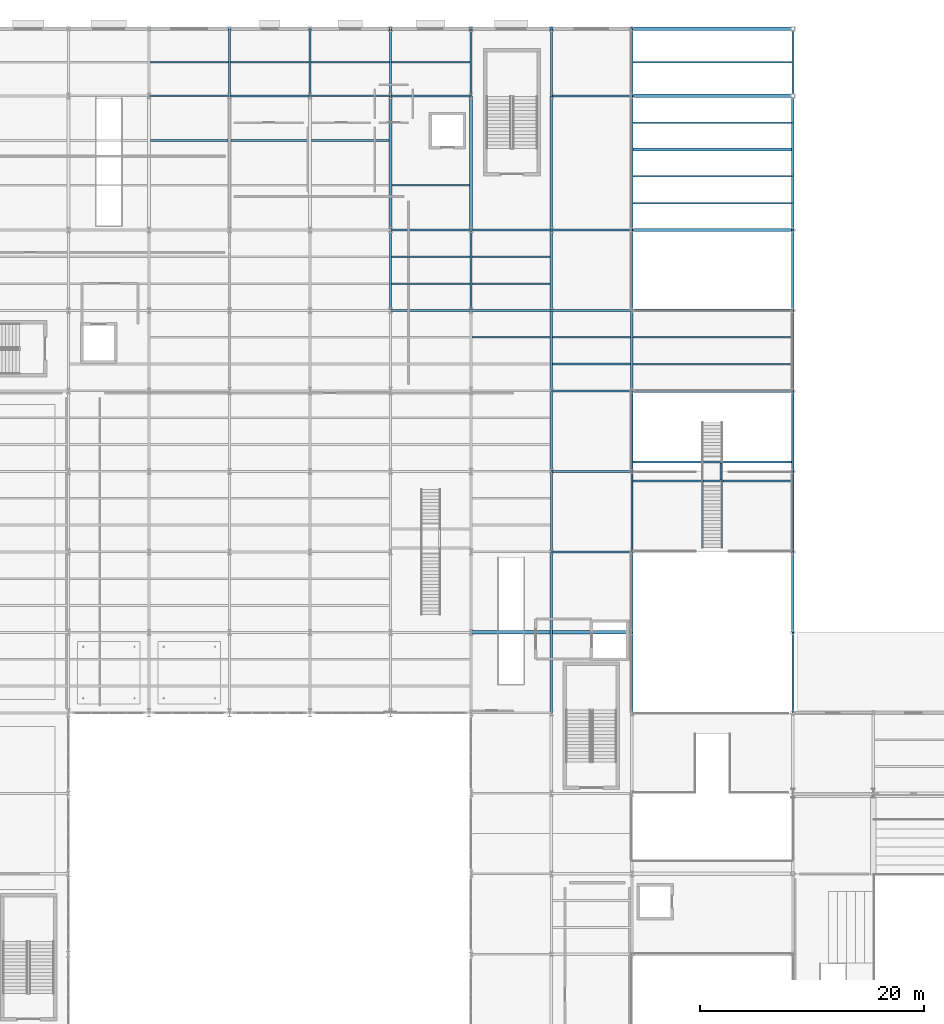
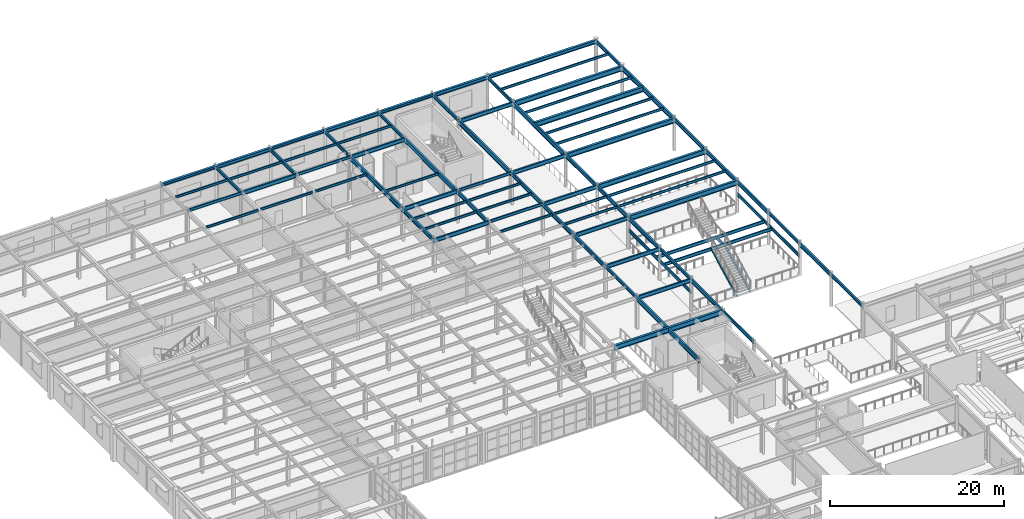
# One storey, part 53 of 121: 84 beams, 2 members.
"""IFC4 building model written with IfcOpenShell, lengths in metres."""

from ifc_helpers import new_model, si_unit, direction, frame, origin, origin_2d, place, context, subcontext, project, spatial, hollow_rectangle, i_section, extrude, material, material_profile, profile_set, type_object, element, save


model = new_model("IFC4")

# Units and contexts
model_context = context("Model", 3, precision=1e-05, world=origin(), true_north=direction((0.0, 1.0)))
body_context = subcontext(model_context, "Body", "Model", "MODEL_VIEW")
ifc_project = project(units=[si_unit("LENGTHUNIT", "METRE"), si_unit("AREAUNIT", "SQUARE_METRE"), si_unit("VOLUMEUNIT", "CUBIC_METRE"), si_unit("PLANEANGLEUNIT", "RADIAN"), si_unit("MASSUNIT", "GRAM", prefix="KILO")], contexts=[model_context])

# Site, building, storey
site_placement = place(None, origin())
site = spatial("IfcSite", under=ifc_project, at=site_placement, CompositionType="ELEMENT")
building_placement = place(site_placement, origin())
building = spatial("IfcBuilding", under=site, at=building_placement, Name="Solvadek Multi-Sports Hall", CompositionType="ELEMENT")
storey_placement = place(building_placement, frame((0.0, 0.0, 4.800048828125)))
storey = spatial("IfcBuildingStorey", under=building, at=storey_placement, Name="L01", CompositionType="ELEMENT", Elevation=4.800048828125)

# Members
ifc_material_1 = material(Name="Steel E250 (250 MPa)", Category="steel")
ifc_material_profile_1 = material_profile(ifc_material_1, hollow_rectangle(XDim=0.14990234375, YDim=0.300048828125, WallThickness=0.010009765625, at=origin_2d()), Name="RHS 300x150x10")
ifc_profile_set_1 = profile_set([ifc_material_profile_1], Name="Steel E250 (250 MPa)")
member_type = type_object("IfcMemberType", Name="INT-SGR-RHS300", PredefinedType="STRINGER", material=ifc_profile_set_1)
for number, where, z_axis, x_axis, name in (
    (1, (80.06494140625, 64.0, -0.449951171875), (0.0, 0.891415184575, 0.453187564601), (-1.0, 0.0, 0.0), "Stair ST-08 Steel Stringer #3"),
    (2, (78.3349609375, 64.0, -0.449951171875), (0.0, 0.891415184575, 0.453187564601), (-1.0, 0.0, 0.0), "Stair ST-08 Steel Stringer #4"),
):
    element("IfcMember", number, at=place(storey_placement, frame(where, z_axis=z_axis, x_axis=x_axis)), inside=storey, type_object=member_type, Name=name, PredefinedType="STRINGER", context=body_context, shape_type="SweptSolid", body=[
        extrude(hollow_rectangle(XDim=0.14990234375, YDim=0.300048828125, WallThickness=0.010009765625, at=origin_2d()), origin(), (0.0, 0.0, 1.0), 6.6748046875),
    ])

# Beams
ifc_material_2 = material(Name="Steel E350 (350 MPa)", Category="steel")
ifc_material_profile_2 = material_profile(ifc_material_2, i_section(OverallWidth=0.139892578125, OverallDepth=0.39990234375, WebThickness=0.0087890625, FlangeThickness=0.01611328125, at=origin_2d()), Name="ISMB 400")
ifc_profile_set_2 = profile_set([ifc_material_profile_2], Name="Steel E350 (350 MPa)")
beam_type_1 = type_object("IfcBeamType", Name="STR-BM-ISMB400", PredefinedType="BEAM", material=ifc_profile_set_2)
for number, where, z_axis, x_axis, name in (
    (3, (57.60009765625, 85.199951171875, 4.35986328125), (1.0, 0.0, 0.0), (0.0, 1.0, 0.0), "L01 Girder B-10 #1079"),
    (4, (57.60009765625, 92.39990234375, 4.35986328125), (1.0, 0.0, 0.0), (0.0, 1.0, 0.0), "L01 Girder B-10 #1090"),
    (5, (28.800048828125, 104.39990234375, 4.35986328125), (1.0, 0.0, 0.0), (0.0, 1.0, 0.0), "L01 Girder B-10 #1096"),
    (6, (43.199951171875, 104.39990234375, 4.35986328125), (1.0, 0.0, 0.0), (0.0, 1.0, 0.0), "L01 Girder B-10 #1098"),
):
    element("IfcBeam", number, at=place(storey_placement, frame(where, z_axis=z_axis, x_axis=x_axis)), inside=storey, type_object=beam_type_1, Name=name, PredefinedType="BEAM", context=body_context, shape_type="SweptSolid", body=[
        extrude(i_section(OverallWidth=0.139892578125, OverallDepth=0.39990234375, WebThickness=0.0087890625, FlangeThickness=0.01611328125, at=origin_2d()), origin(), (0.0, 0.0, 1.0), 7.199951171875),
    ])
ifc_material_profile_3 = material_profile(ifc_material_2, i_section(OverallWidth=0.18994140625, OverallDepth=0.550048828125, WebThickness=0.01123046875, FlangeThickness=0.019287109375, at=origin_2d()), Name="ISMB 550")
ifc_profile_set_3 = profile_set([ifc_material_profile_3], Name="Steel E350 (350 MPa)")
beam_type_2 = type_object("IfcBeamType", Name="STR-BM-ISMB550", PredefinedType="BEAM", material=ifc_profile_set_3)
for number, where, z_axis, x_axis, name in (
    (7, (64.800048828125, 63.60009765625, 4.284912109375), (1.0, 0.0, 0.0), (0.0, 1.0, 0.0), "L01 Girder B-06 #1041"),
    (8, (64.800048828125, 70.800048828125, 4.284912109375), (1.0, 0.0, 0.0), (0.0, 1.0, 0.0), "L01 Girder B-06 #1055"),
    (9, (64.800048828125, 78.0, 4.284912109375), (1.0, 0.0, 0.0), (0.0, 1.0, 0.0), "L01 Girder B-06 #1069"),
):
    element("IfcBeam", number, at=place(storey_placement, frame(where, z_axis=z_axis, x_axis=x_axis)), inside=storey, type_object=beam_type_2, Name=name, PredefinedType="BEAM", context=body_context, shape_type="SweptSolid", body=[
        extrude(i_section(OverallWidth=0.18994140625, OverallDepth=0.550048828125, WebThickness=0.01123046875, FlangeThickness=0.019287109375, at=origin_2d()), origin(), (0.0, 0.0, 1.0), 7.199951171875),
    ])
beam_1_placement = place(storey_placement, frame((50.39990234375, 85.199951171875, 4.284912109375), z_axis=(1.0, 0.0, 0.0), x_axis=(0.0, 1.0, 0.0)))
element("IfcBeam", 10, at=beam_1_placement, inside=storey, type_object=beam_type_2, Name="L01 Girder B-06 #1078", PredefinedType="BEAM", context=body_context, shape_type="SweptSolid", body=[
    extrude(i_section(OverallWidth=0.18994140625, OverallDepth=0.550048828125, WebThickness=0.01123046875, FlangeThickness=0.019287109375, at=origin_2d()), origin(), (0.0, 0.0, 1.0), 7.2001953125),
])
beam_2_placement = place(storey_placement, frame((64.800048828125, 85.199951171875, 4.284912109375), z_axis=(1.0, 0.0, 0.0), x_axis=(0.0, 1.0, 0.0)))
element("IfcBeam", 11, at=beam_2_placement, inside=storey, type_object=beam_type_2, Name="L01 Girder B-06 #1080", PredefinedType="BEAM", context=body_context, shape_type="SweptSolid", body=[
    extrude(i_section(OverallWidth=0.18994140625, OverallDepth=0.550048828125, WebThickness=0.01123046875, FlangeThickness=0.019287109375, at=origin_2d()), origin(), (0.0, 0.0, 1.0), 7.199951171875),
])
beam_3_placement = place(storey_placement, frame((50.39990234375, 92.39990234375, 4.284912109375), z_axis=(1.0, 0.0, 0.0), x_axis=(0.0, 1.0, 0.0)))
element("IfcBeam", 12, at=beam_3_placement, inside=storey, type_object=beam_type_2, Name="L01 Girder B-06 #1089", PredefinedType="BEAM", context=body_context, shape_type="SweptSolid", body=[
    extrude(i_section(OverallWidth=0.18994140625, OverallDepth=0.550048828125, WebThickness=0.01123046875, FlangeThickness=0.019287109375, at=origin_2d()), origin(), (0.0, 0.0, 1.0), 7.2001953125),
])
for number, where, z_axis, x_axis, name in (
    (13, (64.800048828125, 92.39990234375, 4.284912109375), (1.0, 0.0, 0.0), (0.0, 1.0, 0.0), "L01 Girder B-06 #1091"),
    (14, (36.0, 104.39990234375, 4.284912109375), (1.0, 0.0, 0.0), (0.0, 1.0, 0.0), "L01 Girder B-06 #1097"),
):
    element("IfcBeam", number, at=place(storey_placement, frame(where, z_axis=z_axis, x_axis=x_axis)), inside=storey, type_object=beam_type_2, Name=name, PredefinedType="BEAM", context=body_context, shape_type="SweptSolid", body=[
        extrude(i_section(OverallWidth=0.18994140625, OverallDepth=0.550048828125, WebThickness=0.01123046875, FlangeThickness=0.019287109375, at=origin_2d()), origin(), (0.0, 0.0, 1.0), 7.199951171875),
    ])
beam_4_placement = place(storey_placement, frame((50.39990234375, 104.39990234375, 4.284912109375), z_axis=(1.0, 0.0, 0.0), x_axis=(0.0, 1.0, 0.0)))
element("IfcBeam", 15, at=beam_4_placement, inside=storey, type_object=beam_type_2, Name="L01 Girder B-06 #1099", PredefinedType="BEAM", context=body_context, shape_type="SweptSolid", body=[
    extrude(i_section(OverallWidth=0.18994140625, OverallDepth=0.550048828125, WebThickness=0.01123046875, FlangeThickness=0.019287109375, at=origin_2d()), origin(), (0.0, 0.0, 1.0), 7.2001953125),
])
beam_5_placement = place(storey_placement, frame((64.800048828125, 104.39990234375, 4.284912109375), z_axis=(1.0, 0.0, 0.0), x_axis=(0.0, 1.0, 0.0)))
element("IfcBeam", 16, at=beam_5_placement, inside=storey, type_object=beam_type_2, Name="L01 Girder B-06 #1100", PredefinedType="BEAM", context=body_context, shape_type="SweptSolid", body=[
    extrude(i_section(OverallWidth=0.18994140625, OverallDepth=0.550048828125, WebThickness=0.01123046875, FlangeThickness=0.019287109375, at=origin_2d()), origin(), (0.0, 0.0, 1.0), 7.199951171875),
])
ifc_material_profile_4 = material_profile(ifc_material_2, i_section(OverallWidth=0.14990234375, OverallDepth=0.449951171875, WebThickness=0.009521484375, FlangeThickness=0.017333984375, at=origin_2d()), Name="ISMB 450")
ifc_profile_set_4 = profile_set([ifc_material_profile_4], Name="Steel E350 (350 MPa)")
beam_type_3 = type_object("IfcBeamType", Name="STR-BM-LND450", PredefinedType="BEAM", material=ifc_profile_set_4)
for number, where, z_axis, x_axis, name in (
    (17, (72.0, 63.60009765625, 2.574951171875), (0.0, 1.0, 0.0), (-1.0, 0.0, 0.0), "Stair ST-08 Landing Edge Girder #1"),
    (18, (86.39990234375, 63.60009765625, 2.574951171875), (0.0, 1.0, 0.0), (-1.0, 0.0, 0.0), "Stair ST-08 Landing Edge Girder #2"),
):
    element("IfcBeam", number, at=place(storey_placement, frame(where, z_axis=z_axis, x_axis=x_axis)), inside=storey, type_object=beam_type_3, Name=name, PredefinedType="BEAM", context=body_context, shape_type="SweptSolid", body=[
        extrude(i_section(OverallWidth=0.14990234375, OverallDepth=0.449951171875, WebThickness=0.009521484375, FlangeThickness=0.017333984375, at=origin_2d()), origin(), (0.0, 0.0, 1.0), 14.39990234375),
    ])
for number, where, z_axis, x_axis, name in (
    (19, (72.074951171875, 69.949951171875, 2.574951171875), (1.0, 0.0, 0.0), (0.0, 1.0, 0.0), "Stair ST-08 Landing Trimmer Girder #1"),
    (20, (72.074951171875, 71.64990234375, 2.574951171875), (1.0, 0.0, 0.0), (0.0, 1.0, 0.0), "Stair ST-08 Landing Trimmer Girder #2"),
):
    element("IfcBeam", number, at=place(storey_placement, frame(where, z_axis=z_axis, x_axis=x_axis)), inside=storey, type_object=beam_type_3, Name=name, PredefinedType="BEAM", context=body_context, shape_type="SweptSolid", body=[
        extrude(i_section(OverallWidth=0.14990234375, OverallDepth=0.449951171875, WebThickness=0.009521484375, FlangeThickness=0.017333984375, at=origin_2d()), origin(), (0.0, 0.0, 1.0), 14.25),
    ])
beam_6_placement = place(storey_placement, frame((79.97705078125, 70.02490234375, 2.574951171875), z_axis=(0.0, 1.0, 0.0), x_axis=(-1.0, 0.0, 0.0)))
element("IfcBeam", 21, at=beam_6_placement, inside=storey, type_object=beam_type_3, Name="Stair ST-08 Landing Diaphragm Rib", PredefinedType="BEAM", context=body_context, shape_type="SweptSolid", body=[
    extrude(i_section(OverallWidth=0.14990234375, OverallDepth=0.449951171875, WebThickness=0.009521484375, FlangeThickness=0.017333984375, at=origin_2d()), origin(), (0.0, 0.0, 1.0), 1.550048828125),
])
ifc_material_profile_5 = material_profile(ifc_material_2, i_section(OverallWidth=0.18994140625, OverallDepth=0.449951171875, WebThickness=0.009521484375, FlangeThickness=0.0146484375, at=origin_2d()), Name="NPB 450")
ifc_profile_set_5 = profile_set([ifc_material_profile_5], Name="Steel E350 (350 MPa)")
beam_type_4 = type_object("IfcBeamType", Name="STR-BM-NPB450", PredefinedType="BEAM", material=ifc_profile_set_5)
for number, where, z_axis, x_axis, name in (
    (22, (36.0, 104.39990234375, 4.3349609375), (0.0, 1.0, 0.0), (-1.0, 0.0, 0.0), "L01 Girder B-08 #1180"),
    (23, (43.199951171875, 104.39990234375, 4.3349609375), (0.0, 1.0, 0.0), (-1.0, 0.0, 0.0), "L01 Girder B-08 #1192"),
    (24, (50.39990234375, 104.39990234375, 4.3349609375), (0.0, 1.0, 0.0), (-1.0, 0.0, 0.0), "L01 Girder B-08 #1204"),
    (25, (57.60009765625, 104.39990234375, 4.3349609375), (0.0, 1.0, 0.0), (-1.0, 0.0, 0.0), "L01 Girder B-08 #1223"),
):
    element("IfcBeam", number, at=place(storey_placement, frame(where, z_axis=z_axis, x_axis=x_axis)), inside=storey, type_object=beam_type_4, Name=name, PredefinedType="BEAM", context=body_context, shape_type="SweptSolid", body=[
        extrude(i_section(OverallWidth=0.18994140625, OverallDepth=0.449951171875, WebThickness=0.009521484375, FlangeThickness=0.0146484375, at=origin_2d()), origin(), (0.0, 0.0, 1.0), 6.0),
    ])
beam_7_placement = place(storey_placement, frame((64.800048828125, 63.60009765625, 4.3349609375), z_axis=(0.0, 1.0, 0.0), x_axis=(-1.0, 0.0, 0.0)))
element("IfcBeam", 26, at=beam_7_placement, inside=storey, type_object=beam_type_4, Name="L01 Girder B-08 #1235", PredefinedType="BEAM", context=body_context, shape_type="SweptSolid", body=[
    extrude(i_section(OverallWidth=0.18994140625, OverallDepth=0.449951171875, WebThickness=0.009521484375, FlangeThickness=0.0146484375, at=origin_2d()), origin(), (0.0, 0.0, 1.0), 7.199951171875),
])
beam_8_placement = place(storey_placement, frame((64.800048828125, 104.39990234375, 4.3349609375), z_axis=(0.0, 1.0, 0.0), x_axis=(-1.0, 0.0, 0.0)))
element("IfcBeam", 27, at=beam_8_placement, inside=storey, type_object=beam_type_4, Name="L01 Girder B-08 #1240", PredefinedType="BEAM", context=body_context, shape_type="SweptSolid", body=[
    extrude(i_section(OverallWidth=0.18994140625, OverallDepth=0.449951171875, WebThickness=0.009521484375, FlangeThickness=0.0146484375, at=origin_2d()), origin(), (0.0, 0.0, 1.0), 6.0),
])
for number, where, z_axis, x_axis, name in (
    (28, (72.0, 49.199951171875, 4.3349609375), (0.0, 1.0, 0.0), (-1.0, 0.0, 0.0), "L01 Girder B-08 #1254"),
    (29, (72.0, 63.60009765625, 4.3349609375), (0.0, 1.0, 0.0), (-1.0, 0.0, 0.0), "L01 Girder B-08 #1256"),
):
    element("IfcBeam", number, at=place(storey_placement, frame(where, z_axis=z_axis, x_axis=x_axis)), inside=storey, type_object=beam_type_4, Name=name, PredefinedType="BEAM", context=body_context, shape_type="SweptSolid", body=[
        extrude(i_section(OverallWidth=0.18994140625, OverallDepth=0.449951171875, WebThickness=0.009521484375, FlangeThickness=0.0146484375, at=origin_2d()), origin(), (0.0, 0.0, 1.0), 7.199951171875),
    ])
beam_9_placement = place(storey_placement, frame((72.0, 104.39990234375, 4.3349609375), z_axis=(0.0, 1.0, 0.0), x_axis=(-1.0, 0.0, 0.0)))
element("IfcBeam", 30, at=beam_9_placement, inside=storey, type_object=beam_type_4, Name="L01 Girder B-08 #1261", PredefinedType="BEAM", context=body_context, shape_type="SweptSolid", body=[
    extrude(i_section(OverallWidth=0.18994140625, OverallDepth=0.449951171875, WebThickness=0.009521484375, FlangeThickness=0.0146484375, at=origin_2d()), origin(), (0.0, 0.0, 1.0), 6.0),
])
for number, where, z_axis, x_axis, name in (
    (31, (86.39990234375, 49.199951171875, 4.3349609375), (0.0, 1.0, 0.0), (-1.0, 0.0, 0.0), "L01 Girder B-08 #1272"),
    (32, (86.39990234375, 63.60009765625, 4.3349609375), (0.0, 1.0, 0.0), (-1.0, 0.0, 0.0), "L01 Girder B-08 #1274"),
):
    element("IfcBeam", number, at=place(storey_placement, frame(where, z_axis=z_axis, x_axis=x_axis)), inside=storey, type_object=beam_type_4, Name=name, PredefinedType="BEAM", context=body_context, shape_type="SweptSolid", body=[
        extrude(i_section(OverallWidth=0.18994140625, OverallDepth=0.449951171875, WebThickness=0.009521484375, FlangeThickness=0.0146484375, at=origin_2d()), origin(), (0.0, 0.0, 1.0), 7.199951171875),
    ])
beam_10_placement = place(storey_placement, frame((86.39990234375, 104.39990234375, 4.3349609375), z_axis=(0.0, 1.0, 0.0), x_axis=(-1.0, 0.0, 0.0)))
element("IfcBeam", 33, at=beam_10_placement, inside=storey, type_object=beam_type_4, Name="L01 Girder B-08 #1279", PredefinedType="BEAM", context=body_context, shape_type="SweptSolid", body=[
    extrude(i_section(OverallWidth=0.18994140625, OverallDepth=0.449951171875, WebThickness=0.009521484375, FlangeThickness=0.0146484375, at=origin_2d()), origin(), (0.0, 0.0, 1.0), 6.0),
])
ifc_material_profile_6 = material_profile(ifc_material_2, i_section(OverallWidth=0.2099609375, OverallDepth=0.550048828125, WebThickness=0.010986328125, FlangeThickness=0.01708984375, at=origin_2d()), Name="NPB 550")
ifc_profile_set_6 = profile_set([ifc_material_profile_6], Name="Steel E350 (350 MPa)")
beam_type_5 = type_object("IfcBeamType", Name="STR-BM-NPB550", PredefinedType="BEAM", material=ifc_profile_set_6)
for number, where, z_axis, x_axis, name in (
    (34, (50.39990234375, 85.199951171875, 4.284912109375), (0.0, 1.0, 0.0), (-1.0, 0.0, 0.0), "L01 Girder B-05 #1202"),
    (35, (57.60009765625, 85.199951171875, 4.284912109375), (0.0, 1.0, 0.0), (-1.0, 0.0, 0.0), "L01 Girder B-05 #1221"),
    (36, (64.800048828125, 70.800048828125, 4.284912109375), (0.0, 1.0, 0.0), (-1.0, 0.0, 0.0), "L01 Girder B-05 #1236"),
    (37, (64.800048828125, 78.0, 4.284912109375), (0.0, 1.0, 0.0), (-1.0, 0.0, 0.0), "L01 Girder B-05 #1237"),
    (38, (64.800048828125, 85.199951171875, 4.284912109375), (0.0, 1.0, 0.0), (-1.0, 0.0, 0.0), "L01 Girder B-05 #1238"),
):
    element("IfcBeam", number, at=place(storey_placement, frame(where, z_axis=z_axis, x_axis=x_axis)), inside=storey, type_object=beam_type_5, Name=name, PredefinedType="BEAM", context=body_context, shape_type="SweptSolid", body=[
        extrude(i_section(OverallWidth=0.2099609375, OverallDepth=0.550048828125, WebThickness=0.010986328125, FlangeThickness=0.01708984375, at=origin_2d()), origin(), (0.0, 0.0, 1.0), 7.199951171875),
    ])
beam_11_placement = place(storey_placement, frame((72.0, 56.39990234375, 4.284912109375), z_axis=(0.0, 1.0, 0.0), x_axis=(-1.0, 0.0, 0.0)))
element("IfcBeam", 39, at=beam_11_placement, inside=storey, type_object=beam_type_5, Name="L01 Girder B-05 #1255", PredefinedType="BEAM", context=body_context, shape_type="SweptSolid", body=[
    extrude(i_section(OverallWidth=0.2099609375, OverallDepth=0.550048828125, WebThickness=0.010986328125, FlangeThickness=0.01708984375, at=origin_2d()), origin(), (0.0, 0.0, 1.0), 7.2001953125),
])
for number, where, z_axis, x_axis, name in (
    (40, (72.0, 70.800048828125, 4.284912109375), (0.0, 1.0, 0.0), (-1.0, 0.0, 0.0), "L01 Girder B-05 #1257"),
    (41, (72.0, 78.0, 4.284912109375), (0.0, 1.0, 0.0), (-1.0, 0.0, 0.0), "L01 Girder B-05 #1258"),
    (42, (72.0, 85.199951171875, 4.284912109375), (0.0, 1.0, 0.0), (-1.0, 0.0, 0.0), "L01 Girder B-05 #1259"),
):
    element("IfcBeam", number, at=place(storey_placement, frame(where, z_axis=z_axis, x_axis=x_axis)), inside=storey, type_object=beam_type_5, Name=name, PredefinedType="BEAM", context=body_context, shape_type="SweptSolid", body=[
        extrude(i_section(OverallWidth=0.2099609375, OverallDepth=0.550048828125, WebThickness=0.010986328125, FlangeThickness=0.01708984375, at=origin_2d()), origin(), (0.0, 0.0, 1.0), 7.199951171875),
    ])
beam_12_placement = place(storey_placement, frame((86.39990234375, 56.39990234375, 4.284912109375), z_axis=(0.0, 1.0, 0.0), x_axis=(-1.0, 0.0, 0.0)))
element("IfcBeam", 43, at=beam_12_placement, inside=storey, type_object=beam_type_5, Name="L01 Girder B-05 #1273", PredefinedType="BEAM", context=body_context, shape_type="SweptSolid", body=[
    extrude(i_section(OverallWidth=0.2099609375, OverallDepth=0.550048828125, WebThickness=0.010986328125, FlangeThickness=0.01708984375, at=origin_2d()), origin(), (0.0, 0.0, 1.0), 7.2001953125),
])
for number, where, z_axis, x_axis, name in (
    (44, (86.39990234375, 70.800048828125, 4.284912109375), (0.0, 1.0, 0.0), (-1.0, 0.0, 0.0), "L01 Girder B-05 #1275"),
    (45, (86.39990234375, 78.0, 4.284912109375), (0.0, 1.0, 0.0), (-1.0, 0.0, 0.0), "L01 Girder B-05 #1276"),
    (46, (86.39990234375, 85.199951171875, 4.284912109375), (0.0, 1.0, 0.0), (-1.0, 0.0, 0.0), "L01 Girder B-05 #1277"),
):
    element("IfcBeam", number, at=place(storey_placement, frame(where, z_axis=z_axis, x_axis=x_axis)), inside=storey, type_object=beam_type_5, Name=name, PredefinedType="BEAM", context=body_context, shape_type="SweptSolid", body=[
        extrude(i_section(OverallWidth=0.2099609375, OverallDepth=0.550048828125, WebThickness=0.010986328125, FlangeThickness=0.01708984375, at=origin_2d()), origin(), (0.0, 0.0, 1.0), 7.199951171875),
    ])
ifc_material_profile_7 = material_profile(ifc_material_2, i_section(OverallWidth=0.239990234375, OverallDepth=0.64990234375, WebThickness=0.0126953125, FlangeThickness=0.0205078125, at=origin_2d()), Name="NPB 650")
ifc_profile_set_7 = profile_set([ifc_material_profile_7], Name="Steel E350 (350 MPa)")
beam_type_6 = type_object("IfcBeamType", Name="STR-BM-NPB650", PredefinedType="BEAM", material=ifc_profile_set_7)
for number, where, z_axis, x_axis, name in (
    (47, (50.39990234375, 92.39990234375, 4.23486328125), (0.0, 1.0, 0.0), (-1.0, 0.0, 0.0), "L01 Girder B-03 #1203"),
    (48, (57.60009765625, 92.39990234375, 4.23486328125), (0.0, 1.0, 0.0), (-1.0, 0.0, 0.0), "L01 Girder B-03 #1222"),
):
    element("IfcBeam", number, at=place(storey_placement, frame(where, z_axis=z_axis, x_axis=x_axis)), inside=storey, type_object=beam_type_6, Name=name, PredefinedType="BEAM", context=body_context, shape_type="SweptSolid", body=[
        extrude(i_section(OverallWidth=0.239990234375, OverallDepth=0.64990234375, WebThickness=0.0126953125, FlangeThickness=0.0205078125, at=origin_2d()), origin(), (0.0, 0.0, 1.0), 12.0),
    ])
beam_13_placement = place(storey_placement, frame((64.800048828125, 49.199951171875, 4.23486328125), z_axis=(0.0, 1.0, 0.0), x_axis=(-1.0, 0.0, 0.0)))
element("IfcBeam", 49, at=beam_13_placement, inside=storey, type_object=beam_type_6, Name="L01 Girder B-03 #1234", PredefinedType="BEAM", context=body_context, shape_type="SweptSolid", body=[
    extrude(i_section(OverallWidth=0.239990234375, OverallDepth=0.64990234375, WebThickness=0.0126953125, FlangeThickness=0.0205078125, at=origin_2d()), origin(), (0.0, 0.0, 1.0), 14.400146484375),
])
for number, where, z_axis, x_axis, name in (
    (50, (64.800048828125, 92.39990234375, 4.23486328125), (0.0, 1.0, 0.0), (-1.0, 0.0, 0.0), "L01 Girder B-03 #1239"),
    (51, (72.0, 92.39990234375, 4.23486328125), (0.0, 1.0, 0.0), (-1.0, 0.0, 0.0), "L01 Girder B-03 #1260"),
    (52, (86.39990234375, 92.39990234375, 4.23486328125), (0.0, 1.0, 0.0), (-1.0, 0.0, 0.0), "L01 Girder B-03 #1278"),
):
    element("IfcBeam", number, at=place(storey_placement, frame(where, z_axis=z_axis, x_axis=x_axis)), inside=storey, type_object=beam_type_6, Name=name, PredefinedType="BEAM", context=body_context, shape_type="SweptSolid", body=[
        extrude(i_section(OverallWidth=0.239990234375, OverallDepth=0.64990234375, WebThickness=0.0126953125, FlangeThickness=0.0205078125, at=origin_2d()), origin(), (0.0, 0.0, 1.0), 12.0),
    ])
ifc_material_profile_8 = material_profile(ifc_material_2, i_section(OverallWidth=0.300048828125, OverallDepth=0.699951171875, WebThickness=0.01708984375, FlangeThickness=0.031982421875, at=origin_2d()), Name="WPB 700")
ifc_profile_set_8 = profile_set([ifc_material_profile_8], Name="Steel E350 (350 MPa)")
beam_type_7 = type_object("IfcBeamType", Name="STR-BM-WPB700", PredefinedType="BEAM", material=ifc_profile_set_8)
for number, where, z_axis, x_axis, name in (
    (53, (57.60009765625, 56.39990234375, 4.2099609375), (1.0, 0.0, 0.0), (0.0, 1.0, 0.0), "L01 Girder B-01 #1032"),
    (54, (72.0, 78.0, 4.2099609375), (1.0, 0.0, 0.0), (0.0, 1.0, 0.0), "L01 Girder B-01 #1070"),
    (55, (72.0, 85.199951171875, 4.2099609375), (1.0, 0.0, 0.0), (0.0, 1.0, 0.0), "L01 Girder B-01 #1081"),
    (56, (72.0, 92.39990234375, 4.2099609375), (1.0, 0.0, 0.0), (0.0, 1.0, 0.0), "L01 Low Roof Girder B-01 #3"),
    (57, (72.0, 99.60009765625, 4.2099609375), (1.0, 0.0, 0.0), (0.0, 1.0, 0.0), "L01 Low Roof Girder B-01 #4"),
    (58, (72.0, 104.39990234375, 4.2099609375), (1.0, 0.0, 0.0), (0.0, 1.0, 0.0), "L01 Low Roof Girder B-01 #5"),
):
    element("IfcBeam", number, at=place(storey_placement, frame(where, z_axis=z_axis, x_axis=x_axis)), inside=storey, type_object=beam_type_7, Name=name, PredefinedType="BEAM", context=body_context, shape_type="SweptSolid", body=[
        extrude(i_section(OverallWidth=0.300048828125, OverallDepth=0.699951171875, WebThickness=0.01708984375, FlangeThickness=0.031982421875, at=origin_2d()), origin(), (0.0, 0.0, 1.0), 14.39990234375),
    ])
ifc_material_profile_9 = material_profile(ifc_material_2, i_section(OverallWidth=0.139892578125, OverallDepth=0.35009765625, WebThickness=0.008056640625, FlangeThickness=0.01416015625, at=origin_2d()), Name="ISMB 350")
ifc_profile_set_9 = profile_set([ifc_material_profile_9], Name="Steel E350 (350 MPa)")
beam_type_8 = type_object("IfcBeamType", Name="STR-JST-ISMB350", PredefinedType="JOIST", material=ifc_profile_set_9)
for number, where, z_axis, x_axis, name in (
    (59, (72.10498046875, 80.39990234375, 4.385009765625), (1.0, 0.0, 0.0), (0.0, 1.0, 0.0), "L01 Composite Joist J-01 #715"),
    (60, (72.10498046875, 82.800048828125, 4.385009765625), (1.0, 0.0, 0.0), (0.0, 1.0, 0.0), "L01 Composite Joist J-01 #716"),
):
    element("IfcBeam", number, at=place(storey_placement, frame(where, z_axis=z_axis, x_axis=x_axis)), inside=storey, type_object=beam_type_8, Name=name, PredefinedType="JOIST", context=body_context, shape_type="SweptSolid", body=[
        extrude(i_section(OverallWidth=0.139892578125, OverallDepth=0.35009765625, WebThickness=0.008056640625, FlangeThickness=0.01416015625, at=origin_2d()), origin(), (0.0, 0.0, 1.0), 14.18994140625),
    ])
for number, where, z_axis, x_axis, name in (
    (61, (72.094970703125, 94.800048828125, 4.385009765625), (1.0, 0.0, 0.0), (0.0, 1.0, 0.0), "L01 Low Roof Composite Joist J-01 #4"),
    (62, (72.094970703125, 97.199951171875, 4.385009765625), (1.0, 0.0, 0.0), (0.0, 1.0, 0.0), "L01 Low Roof Composite Joist J-01 #5"),
    (63, (72.094970703125, 102.0, 4.385009765625), (1.0, 0.0, 0.0), (0.0, 1.0, 0.0), "L01 Low Roof Composite Joist J-01 #6"),
    (64, (72.094970703125, 107.39990234375, 4.385009765625), (1.0, 0.0, 0.0), (0.0, 1.0, 0.0), "L01 Low Roof Composite Joist J-01 #7"),
):
    element("IfcBeam", number, at=place(storey_placement, frame(where, z_axis=z_axis, x_axis=x_axis)), inside=storey, type_object=beam_type_8, Name=name, PredefinedType="JOIST", context=body_context, shape_type="SweptSolid", body=[
        extrude(i_section(OverallWidth=0.139892578125, OverallDepth=0.35009765625, WebThickness=0.008056640625, FlangeThickness=0.01416015625, at=origin_2d()), origin(), (0.0, 0.0, 1.0), 14.2099609375),
    ])
ifc_material_profile_10 = material_profile(ifc_material_2, i_section(OverallWidth=0.159912109375, OverallDepth=0.330078125, WebThickness=0.007568359375, FlangeThickness=0.011474609375, at=origin_2d()), Name="NPB 330")
ifc_profile_set_10 = profile_set([ifc_material_profile_10], Name="Steel E350 (350 MPa)")
beam_type_9 = type_object("IfcBeamType", Name="STR-JST-NPB330", PredefinedType="JOIST", material=ifc_profile_set_10)
for number, where, z_axis, x_axis, name in (
    (65, (57.705078125, 82.800048828125, 4.39501953125), (1.0, 0.0, 0.0), (0.0, 1.0, 0.0), "L01 Composite Joist J-02 #712"),
    (66, (64.905029296875, 80.39990234375, 4.39501953125), (1.0, 0.0, 0.0), (0.0, 1.0, 0.0), "L01 Composite Joist J-02 #713"),
    (67, (64.905029296875, 82.800048828125, 4.39501953125), (1.0, 0.0, 0.0), (0.0, 1.0, 0.0), "L01 Composite Joist J-02 #714"),
):
    element("IfcBeam", number, at=place(storey_placement, frame(where, z_axis=z_axis, x_axis=x_axis)), inside=storey, type_object=beam_type_9, Name=name, PredefinedType="JOIST", context=body_context, shape_type="SweptSolid", body=[
        extrude(i_section(OverallWidth=0.159912109375, OverallDepth=0.330078125, WebThickness=0.007568359375, FlangeThickness=0.011474609375, at=origin_2d()), origin(), (0.0, 0.0, 1.0), 6.989990234375),
    ])
for number, where, z_axis, x_axis, name in (
    (68, (50.5048828125, 87.60009765625, 4.39501953125), (1.0, 0.0, 0.0), (0.0, 1.0, 0.0), "L01 Composite Joist J-02 #731"),
    (69, (50.5048828125, 90.0, 4.39501953125), (1.0, 0.0, 0.0), (0.0, 1.0, 0.0), "L01 Composite Joist J-02 #732"),
):
    element("IfcBeam", number, at=place(storey_placement, frame(where, z_axis=z_axis, x_axis=x_axis)), inside=storey, type_object=beam_type_9, Name=name, PredefinedType="JOIST", context=body_context, shape_type="SweptSolid", body=[
        extrude(i_section(OverallWidth=0.159912109375, OverallDepth=0.330078125, WebThickness=0.007568359375, FlangeThickness=0.011474609375, at=origin_2d()), origin(), (0.0, 0.0, 1.0), 6.990234375),
    ])
for number, where, z_axis, x_axis, name in (
    (70, (57.705078125, 87.60009765625, 4.39501953125), (1.0, 0.0, 0.0), (0.0, 1.0, 0.0), "L01 Composite Joist J-02 #733"),
    (71, (57.705078125, 90.0, 4.39501953125), (1.0, 0.0, 0.0), (0.0, 1.0, 0.0), "L01 Composite Joist J-02 #734"),
):
    element("IfcBeam", number, at=place(storey_placement, frame(where, z_axis=z_axis, x_axis=x_axis)), inside=storey, type_object=beam_type_9, Name=name, PredefinedType="JOIST", context=body_context, shape_type="SweptSolid", body=[
        extrude(i_section(OverallWidth=0.159912109375, OverallDepth=0.330078125, WebThickness=0.007568359375, FlangeThickness=0.011474609375, at=origin_2d()), origin(), (0.0, 0.0, 1.0), 6.989990234375),
    ])
for number, where, z_axis, x_axis, name in (
    (72, (28.919921875, 100.39990234375, 4.39501953125), (1.0, 0.0, 0.0), (0.0, 1.0, 0.0), "L01 Composite Joist J-02 #744"),
    (73, (36.1201171875, 100.39990234375, 4.39501953125), (1.0, 0.0, 0.0), (0.0, 1.0, 0.0), "L01 Composite Joist J-02 #746"),
    (74, (43.320068359375, 100.39990234375, 4.39501953125), (1.0, 0.0, 0.0), (0.0, 1.0, 0.0), "L01 Composite Joist J-02 #748"),
    (75, (50.52001953125, 96.39990234375, 4.39501953125), (1.0, 0.0, 0.0), (0.0, 1.0, 0.0), "L01 Composite Joist J-02 #749"),
):
    element("IfcBeam", number, at=place(storey_placement, frame(where, z_axis=z_axis, x_axis=x_axis)), inside=storey, type_object=beam_type_9, Name=name, PredefinedType="JOIST", context=body_context, shape_type="SweptSolid", body=[
        extrude(i_section(OverallWidth=0.159912109375, OverallDepth=0.330078125, WebThickness=0.007568359375, FlangeThickness=0.011474609375, at=origin_2d()), origin(), (0.0, 0.0, 1.0), 6.9599609375),
    ])
for number, where, z_axis, x_axis, name in (
    (76, (28.89501953125, 107.39990234375, 4.39501953125), (1.0, 0.0, 0.0), (0.0, 1.0, 0.0), "L01 Composite Joist J-02 #754"),
    (77, (36.094970703125, 107.39990234375, 4.39501953125), (1.0, 0.0, 0.0), (0.0, 1.0, 0.0), "L01 Composite Joist J-02 #755"),
    (78, (43.294921875, 107.39990234375, 4.39501953125), (1.0, 0.0, 0.0), (0.0, 1.0, 0.0), "L01 Composite Joist J-02 #756"),
):
    element("IfcBeam", number, at=place(storey_placement, frame(where, z_axis=z_axis, x_axis=x_axis)), inside=storey, type_object=beam_type_9, Name=name, PredefinedType="JOIST", context=body_context, shape_type="SweptSolid", body=[
        extrude(i_section(OverallWidth=0.159912109375, OverallDepth=0.330078125, WebThickness=0.007568359375, FlangeThickness=0.011474609375, at=origin_2d()), origin(), (0.0, 0.0, 1.0), 7.010009765625),
    ])
beam_14_placement = place(storey_placement, frame((50.4951171875, 107.39990234375, 4.39501953125), z_axis=(1.0, 0.0, 0.0), x_axis=(0.0, 1.0, 0.0)))
element("IfcBeam", 79, at=beam_14_placement, inside=storey, type_object=beam_type_9, Name="L01 Composite Joist J-02 #757", PredefinedType="JOIST", context=body_context, shape_type="SweptSolid", body=[
    extrude(i_section(OverallWidth=0.159912109375, OverallDepth=0.330078125, WebThickness=0.007568359375, FlangeThickness=0.011474609375, at=origin_2d()), origin(), (0.0, 0.0, 1.0), 7.009765625),
])
ifc_material_profile_11 = material_profile(ifc_material_2, i_section(OverallWidth=0.300048828125, OverallDepth=0.39990234375, WebThickness=0.013427734375, FlangeThickness=0.02392578125, at=origin_2d()), Name="WPB 400")
ifc_profile_set_11 = profile_set([ifc_material_profile_11], Name="Steel E350 (350 MPa)")
beam_type_10 = type_object("IfcBeamType", Name="STR-SPN-WPB400", PredefinedType="SPANDREL", material=ifc_profile_set_11)
for number, where, z_axis, x_axis, name in (
    (80, (28.800048828125, 110.39990234375, 4.35986328125), (1.0, 0.0, 0.0), (0.0, 1.0, 0.0), "L01 Girder SP-02 #1105"),
    (81, (43.199951171875, 110.39990234375, 4.35986328125), (1.0, 0.0, 0.0), (0.0, 1.0, 0.0), "L01 Girder SP-02 #1107"),
    (82, (57.60009765625, 110.39990234375, 4.35986328125), (1.0, 0.0, 0.0), (0.0, 1.0, 0.0), "L01 Girder SP-02 #1109"),
):
    element("IfcBeam", number, at=place(storey_placement, frame(where, z_axis=z_axis, x_axis=x_axis)), inside=storey, type_object=beam_type_10, Name=name, PredefinedType="SPANDREL", context=body_context, shape_type="SweptSolid", body=[
        extrude(i_section(OverallWidth=0.300048828125, OverallDepth=0.39990234375, WebThickness=0.013427734375, FlangeThickness=0.02392578125, at=origin_2d()), origin(), (0.0, 0.0, 1.0), 7.199951171875),
    ])
ifc_material_profile_12 = material_profile(ifc_material_2, i_section(OverallWidth=0.300048828125, OverallDepth=0.5, WebThickness=0.014404296875, FlangeThickness=0.028076171875, at=origin_2d()), Name="WPB 500")
ifc_profile_set_12 = profile_set([ifc_material_profile_12], Name="Steel E350 (350 MPa)")
beam_type_11 = type_object("IfcBeamType", Name="STR-SPN-WPB500", PredefinedType="SPANDREL", material=ifc_profile_set_12)
beam_15_placement = place(storey_placement, frame((36.0, 110.39990234375, 4.31005859375), z_axis=(1.0, 0.0, 0.0), x_axis=(0.0, 1.0, 0.0)))
element("IfcBeam", 83, at=beam_15_placement, inside=storey, type_object=beam_type_11, Name="L01 Girder SP-01 #1106", PredefinedType="SPANDREL", context=body_context, shape_type="SweptSolid", body=[
    extrude(i_section(OverallWidth=0.300048828125, OverallDepth=0.5, WebThickness=0.014404296875, FlangeThickness=0.028076171875, at=origin_2d()), origin(), (0.0, 0.0, 1.0), 7.199951171875),
])
beam_16_placement = place(storey_placement, frame((50.39990234375, 110.39990234375, 4.31005859375), z_axis=(1.0, 0.0, 0.0), x_axis=(0.0, 1.0, 0.0)))
element("IfcBeam", 84, at=beam_16_placement, inside=storey, type_object=beam_type_11, Name="L01 Girder SP-01 #1108", PredefinedType="SPANDREL", context=body_context, shape_type="SweptSolid", body=[
    extrude(i_section(OverallWidth=0.300048828125, OverallDepth=0.5, WebThickness=0.014404296875, FlangeThickness=0.028076171875, at=origin_2d()), origin(), (0.0, 0.0, 1.0), 7.2001953125),
])
beam_17_placement = place(storey_placement, frame((64.800048828125, 110.39990234375, 4.31005859375), z_axis=(1.0, 0.0, 0.0), x_axis=(0.0, 1.0, 0.0)))
element("IfcBeam", 85, at=beam_17_placement, inside=storey, type_object=beam_type_11, Name="L01 Girder SP-01 #1110", PredefinedType="SPANDREL", context=body_context, shape_type="SweptSolid", body=[
    extrude(i_section(OverallWidth=0.300048828125, OverallDepth=0.5, WebThickness=0.014404296875, FlangeThickness=0.028076171875, at=origin_2d()), origin(), (0.0, 0.0, 1.0), 7.199951171875),
])
beam_18_placement = place(storey_placement, frame((72.0, 110.39990234375, 4.31005859375), z_axis=(1.0, 0.0, 0.0), x_axis=(0.0, 1.0, 0.0)))
element("IfcBeam", 86, at=beam_18_placement, inside=storey, type_object=beam_type_11, Name="L01 Girder SP-01 #1111", PredefinedType="SPANDREL", context=body_context, shape_type="SweptSolid", body=[
    extrude(i_section(OverallWidth=0.300048828125, OverallDepth=0.5, WebThickness=0.014404296875, FlangeThickness=0.028076171875, at=origin_2d()), origin(), (0.0, 0.0, 1.0), 14.39990234375),
])

save(model, "model.ifc")
